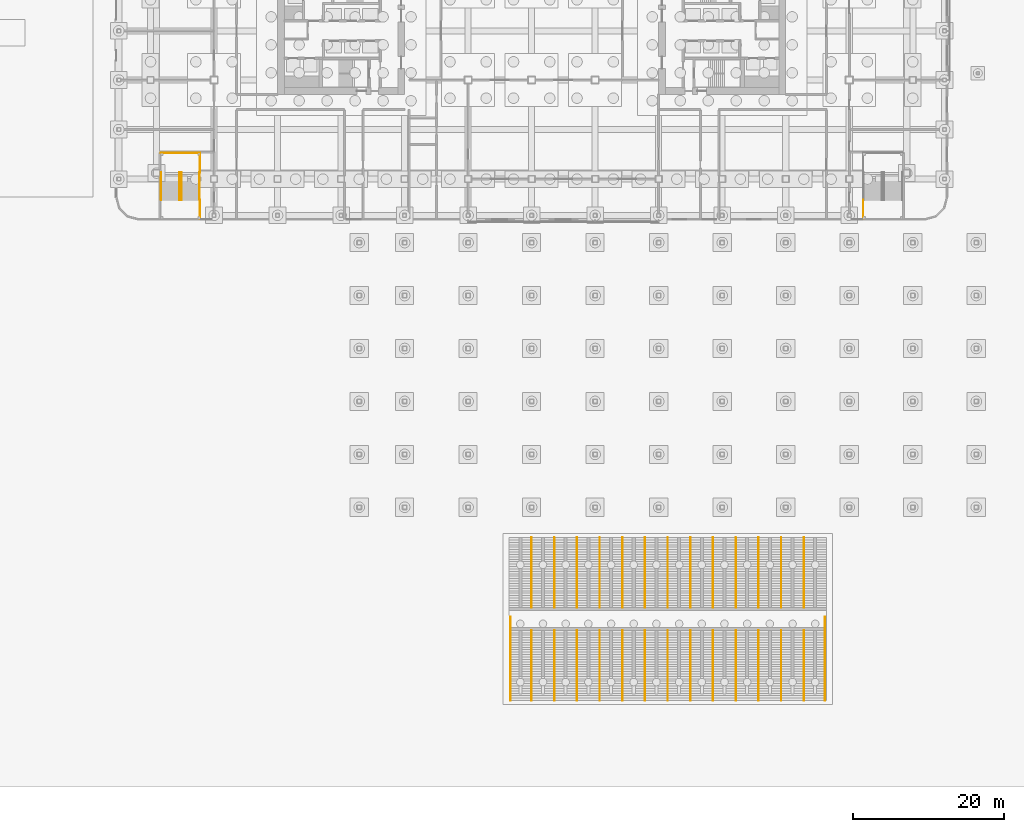
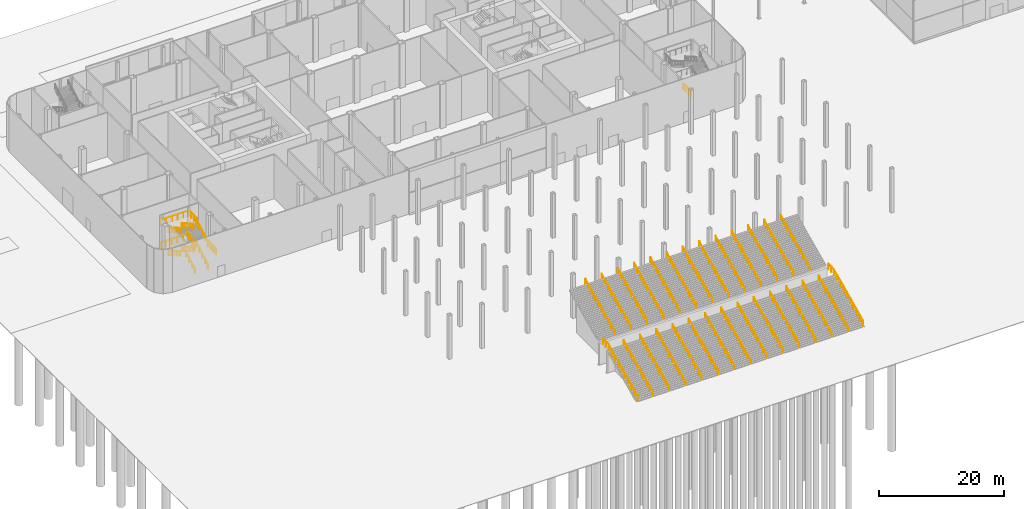
# One storey, part 108 of 113: 44 railings.
"""IFC4 building model written with IfcOpenShell, lengths in metres."""

from ifc_helpers import new_model, si_unit, direction, frame, origin, origin_2d, place, context, subcontext, project, spatial, circle, extrude, material, type_object, element, save


model = new_model("IFC4")

# Units and contexts
model_context = context("Model", 3, precision=1e-05, world=origin(), true_north=direction((0.0, 1.0)))
body_context = subcontext(model_context, "Body", "Model", "MODEL_VIEW")
ifc_project = project(units=[si_unit("LENGTHUNIT", "METRE"), si_unit("AREAUNIT", "SQUARE_METRE"), si_unit("VOLUMEUNIT", "CUBIC_METRE"), si_unit("PLANEANGLEUNIT", "RADIAN"), si_unit("MASSUNIT", "GRAM", prefix="KILO")], contexts=[model_context])

# Site, building, storey
site_placement = place(None, origin())
site = spatial("IfcSite", under=ifc_project, at=site_placement, CompositionType="ELEMENT")
building_placement = place(site_placement, origin())
building = spatial("IfcBuilding", under=site, at=building_placement, Name="Hakoniwa Tower and Hamabe Station Hall", CompositionType="ELEMENT")
storey_placement = place(building_placement, origin())
storey = spatial("IfcBuildingStorey", under=building, at=storey_placement, Name="L01", CompositionType="ELEMENT", Elevation=0.0)

# Railings
ifc_material_1 = material(Name="Stainless steel and glass", Category="steel")
railing_type_1 = type_object("IfcRailingType", Name="GUARD 1100", PredefinedType="GUARDRAIL", material=ifc_material_1)
railing_1_placement = place(storey_placement, frame((-2.800048828125, -77.47998046875, 4.5)))
element("IfcRailing", 1, at=railing_1_placement, inside=storey, type_object=railing_type_1, Name="Deck guard west landing", PredefinedType="GUARDRAIL", context=body_context, shape_type="SweptSolid", body=[
    extrude(circle(Radius=0.02392578125, at=origin_2d()), frame((0.0, 0.0, 1.076171875), z_axis=(0.0, -1.0, 0.0), x_axis=(1.0, 0.0, 0.0)), (0.0, 0.0, 1.0), 1.800048828125),
    extrude(circle(Radius=0.02099609375, at=origin_2d()), origin(), (0.0, 0.0, 1.0), 1.052001953125),
    extrude(circle(Radius=0.02099609375, at=origin_2d()), frame((0.0, -0.89990234375, 0.0)), (0.0, 0.0, 1.0), 1.052001953125),
    extrude(circle(Radius=0.02099609375, at=origin_2d()), frame((0.0, -1.800048828125, 0.0)), (0.0, 0.0, 1.0), 1.052001953125),
])
railing_2_placement = place(storey_placement, frame((-2.800048828125, -79.280029296875, 4.5)))
element("IfcRailing", 2, at=railing_2_placement, inside=storey, type_object=railing_type_1, Name="Deck guard west flight-2", PredefinedType="GUARDRAIL", context=body_context, shape_type="SweptSolid", body=[
    extrude(circle(Radius=0.02392578125, at=origin_2d()), frame((0.0, 0.0, 1.076171875), z_axis=(0.0, -0.905455789059, -0.424440589552), x_axis=(1.0, 0.0, 0.0)), (0.0, 0.0, 1.0), 10.2490234375),
    extrude(circle(Radius=0.02099609375, at=origin_2d()), origin(), (0.0, 0.0, 1.0), 1.052001953125),
    extrude(circle(Radius=0.02099609375, at=origin_2d()), frame((0.0, -1.031005859375, -0.4833984375)), (0.0, 0.0, 1.0), 1.052001953125),
    extrude(circle(Radius=0.02099609375, at=origin_2d()), frame((0.0, -2.062255859375, -0.966796875)), (0.0, 0.0, 1.0), 1.052001953125),
    extrude(circle(Radius=0.02099609375, at=origin_2d()), frame((0.0, -3.09326171875, -1.449951171875)), (0.0, 0.0, 1.0), 1.052001953125),
    extrude(circle(Radius=0.02099609375, at=origin_2d()), frame((0.0, -4.12451171875, -1.933349609375)), (0.0, 0.0, 1.0), 1.052001953125),
    extrude(circle(Radius=0.02099609375, at=origin_2d()), frame((0.0, -5.155517578125, -2.416748046875)), (0.0, 0.0, 1.0), 1.052001953125),
    extrude(circle(Radius=0.02099609375, at=origin_2d()), frame((0.0, -6.186767578125, -2.900146484375)), (0.0, 0.0, 1.0), 1.052001953125),
    extrude(circle(Radius=0.02099609375, at=origin_2d()), frame((0.0, -7.2177734375, -3.38330078125)), (0.0, 0.0, 1.0), 1.052001953125),
    extrude(circle(Radius=0.02099609375, at=origin_2d()), frame((0.0, -8.2490234375, -3.86669921875)), (0.0, 0.0, 1.0), 1.052001953125),
    extrude(circle(Radius=0.02099609375, at=origin_2d()), frame((0.0, -9.280029296875, -4.35009765625)), (0.0, 0.0, 1.0), 1.052001953125),
])
railing_3_placement = place(storey_placement, frame((38.800048828125, -77.47998046875, 4.5)))
element("IfcRailing", 3, at=railing_3_placement, inside=storey, type_object=railing_type_1, Name="Deck guard east landing", PredefinedType="GUARDRAIL", context=body_context, shape_type="SweptSolid", body=[
    extrude(circle(Radius=0.02392578125, at=origin_2d()), frame((0.0, 0.0, 1.076171875), z_axis=(0.0, -1.0, 0.0), x_axis=(1.0, 0.0, 0.0)), (0.0, 0.0, 1.0), 1.800048828125),
    extrude(circle(Radius=0.02099609375, at=origin_2d()), origin(), (0.0, 0.0, 1.0), 1.052001953125),
    extrude(circle(Radius=0.02099609375, at=origin_2d()), frame((0.0, -0.89990234375, 0.0)), (0.0, 0.0, 1.0), 1.052001953125),
    extrude(circle(Radius=0.02099609375, at=origin_2d()), frame((0.0, -1.800048828125, 0.0)), (0.0, 0.0, 1.0), 1.052001953125),
])
railing_4_placement = place(storey_placement, frame((38.800048828125, -79.280029296875, 4.5)))
element("IfcRailing", 4, at=railing_4_placement, inside=storey, type_object=railing_type_1, Name="Deck guard east flight-2", PredefinedType="GUARDRAIL", context=body_context, shape_type="SweptSolid", body=[
    extrude(circle(Radius=0.02392578125, at=origin_2d()), frame((0.0, 0.0, 1.076171875), z_axis=(0.0, -0.905455789059, -0.424440589552), x_axis=(1.0, 0.0, 0.0)), (0.0, 0.0, 1.0), 10.2490234375),
    extrude(circle(Radius=0.02099609375, at=origin_2d()), origin(), (0.0, 0.0, 1.0), 1.052001953125),
    extrude(circle(Radius=0.02099609375, at=origin_2d()), frame((0.0, -1.031005859375, -0.4833984375)), (0.0, 0.0, 1.0), 1.052001953125),
    extrude(circle(Radius=0.02099609375, at=origin_2d()), frame((0.0, -2.062255859375, -0.966796875)), (0.0, 0.0, 1.0), 1.052001953125),
    extrude(circle(Radius=0.02099609375, at=origin_2d()), frame((0.0, -3.09326171875, -1.449951171875)), (0.0, 0.0, 1.0), 1.052001953125),
    extrude(circle(Radius=0.02099609375, at=origin_2d()), frame((0.0, -4.12451171875, -1.933349609375)), (0.0, 0.0, 1.0), 1.052001953125),
    extrude(circle(Radius=0.02099609375, at=origin_2d()), frame((0.0, -5.155517578125, -2.416748046875)), (0.0, 0.0, 1.0), 1.052001953125),
    extrude(circle(Radius=0.02099609375, at=origin_2d()), frame((0.0, -6.186767578125, -2.900146484375)), (0.0, 0.0, 1.0), 1.052001953125),
    extrude(circle(Radius=0.02099609375, at=origin_2d()), frame((0.0, -7.2177734375, -3.38330078125)), (0.0, 0.0, 1.0), 1.052001953125),
    extrude(circle(Radius=0.02099609375, at=origin_2d()), frame((0.0, -8.2490234375, -3.86669921875)), (0.0, 0.0, 1.0), 1.052001953125),
    extrude(circle(Radius=0.02099609375, at=origin_2d()), frame((0.0, -9.280029296875, -4.35009765625)), (0.0, 0.0, 1.0), 1.052001953125),
])
railing_5_placement = place(storey_placement, frame((43.85009765625, -24.85009765625, 4.5)))
element("IfcRailing", 5, at=railing_5_placement, inside=storey, type_object=railing_type_1, Name="Guard at landing PS3 3", PredefinedType="GUARDRAIL", context=body_context, shape_type="SweptSolid", body=[
    extrude(circle(Radius=0.02392578125, at=origin_2d()), frame((0.0, 0.0, 1.076171875), z_axis=(0.0, 1.0, 0.0), x_axis=(-1.0, 0.0, 0.0)), (0.0, 0.0, 1.0), 2.5),
    extrude(circle(Radius=0.02099609375, at=origin_2d()), origin(), (0.0, 0.0, 1.0), 1.052001953125),
    extrude(circle(Radius=0.02099609375, at=origin_2d()), frame((0.0, 0.833251953125, 0.0)), (0.0, 0.0, 1.0), 1.052001953125),
    extrude(circle(Radius=0.02099609375, at=origin_2d()), frame((0.0, 1.666748046875, 0.0)), (0.0, 0.0, 1.0), 1.052001953125),
    extrude(circle(Radius=0.02099609375, at=origin_2d()), frame((0.0, 2.5, 0.0)), (0.0, 0.0, 1.0), 1.052001953125),
])
railing_6_placement = place(storey_placement, frame((-43.85009765625, -18.7099609375, 2.25)))
element("IfcRailing", 6, at=railing_6_placement, inside=storey, type_object=railing_type_1, Name="Guard at landing PS4 1", PredefinedType="GUARDRAIL", context=body_context, shape_type="SweptSolid", body=[
    extrude(circle(Radius=0.02392578125, at=origin_2d()), frame((0.0, 0.0, 1.076171875), z_axis=(0.0, 1.0, 0.0), x_axis=(-1.0, 0.0, 0.0)), (0.0, 0.0, 1.0), 2.56005859375),
    extrude(circle(Radius=0.02099609375, at=origin_2d()), origin(), (0.0, 0.0, 1.0), 1.052001953125),
    extrude(circle(Radius=0.02099609375, at=origin_2d()), frame((0.0, 0.853271484375, 0.0)), (0.0, 0.0, 1.0), 1.052001953125),
    extrude(circle(Radius=0.02099609375, at=origin_2d()), frame((0.0, 1.706787109375, 0.0)), (0.0, 0.0, 1.0), 1.052001953125),
    extrude(circle(Radius=0.02099609375, at=origin_2d()), frame((0.0, 2.56005859375, 0.0)), (0.0, 0.0, 1.0), 1.052001953125),
])
railing_7_placement = place(storey_placement, frame((-43.85009765625, -16.14990234375, 2.25)))
element("IfcRailing", 7, at=railing_7_placement, inside=storey, type_object=railing_type_1, Name="Guard at landing PS4 2", PredefinedType="GUARDRAIL", context=body_context, shape_type="SweptSolid", body=[
    extrude(circle(Radius=0.02392578125, at=origin_2d()), frame((0.0, 0.0, 1.076171875), z_axis=(-1.0, 0.0, 0.0), x_axis=(0.0, -1.0, 0.0)), (0.0, 0.0, 1.0), 5.199951171875),
    extrude(circle(Radius=0.02099609375, at=origin_2d()), origin(), (0.0, 0.0, 1.0), 1.052001953125),
    extrude(circle(Radius=0.02099609375, at=origin_2d()), frame((-1.0400390625, 0.0, 0.0)), (0.0, 0.0, 1.0), 1.052001953125),
    extrude(circle(Radius=0.02099609375, at=origin_2d()), frame((-2.080078125, 0.0, 0.0)), (0.0, 0.0, 1.0), 1.052001953125),
    extrude(circle(Radius=0.02099609375, at=origin_2d()), frame((-3.119873046875, 0.0, 0.0)), (0.0, 0.0, 1.0), 1.052001953125),
    extrude(circle(Radius=0.02099609375, at=origin_2d()), frame((-4.159912109375, 0.0, 0.0)), (0.0, 0.0, 1.0), 1.052001953125),
    extrude(circle(Radius=0.02099609375, at=origin_2d()), frame((-5.199951171875, 0.0, 0.0)), (0.0, 0.0, 1.0), 1.052001953125),
])
railing_8_placement = place(storey_placement, frame((-43.85009765625, -24.85009765625, 4.5)))
element("IfcRailing", 8, at=railing_8_placement, inside=storey, type_object=railing_type_1, Name="Guard at landing PS4 3", PredefinedType="GUARDRAIL", context=body_context, shape_type="SweptSolid", body=[
    extrude(circle(Radius=0.02392578125, at=origin_2d()), frame((0.0, 0.0, 1.076171875), z_axis=(0.0, 1.0, 0.0), x_axis=(-1.0, 0.0, 0.0)), (0.0, 0.0, 1.0), 2.5),
    extrude(circle(Radius=0.02099609375, at=origin_2d()), origin(), (0.0, 0.0, 1.0), 1.052001953125),
    extrude(circle(Radius=0.02099609375, at=origin_2d()), frame((0.0, 0.833251953125, 0.0)), (0.0, 0.0, 1.0), 1.052001953125),
    extrude(circle(Radius=0.02099609375, at=origin_2d()), frame((0.0, 1.666748046875, 0.0)), (0.0, 0.0, 1.0), 1.052001953125),
    extrude(circle(Radius=0.02099609375, at=origin_2d()), frame((0.0, 2.5, 0.0)), (0.0, 0.0, 1.0), 1.052001953125),
])
railing_9_placement = place(storey_placement, frame((-43.85009765625, -18.7099609375, 6.75)))
element("IfcRailing", 9, at=railing_9_placement, inside=storey, type_object=railing_type_1, Name="Guard at landing PS4 4", PredefinedType="GUARDRAIL", context=body_context, shape_type="SweptSolid", body=[
    extrude(circle(Radius=0.02392578125, at=origin_2d()), frame((0.0, 0.0, 1.076171875), z_axis=(0.0, 1.0, 0.0), x_axis=(-1.0, 0.0, 0.0)), (0.0, 0.0, 1.0), 2.56005859375),
    extrude(circle(Radius=0.02099609375, at=origin_2d()), origin(), (0.0, 0.0, 1.0), 1.052001953125),
    extrude(circle(Radius=0.02099609375, at=origin_2d()), frame((0.0, 0.853271484375, 0.0)), (0.0, 0.0, 1.0), 1.052001953125),
    extrude(circle(Radius=0.02099609375, at=origin_2d()), frame((0.0, 1.706787109375, 0.0)), (0.0, 0.0, 1.0), 1.052001953125),
    extrude(circle(Radius=0.02099609375, at=origin_2d()), frame((0.0, 2.56005859375, 0.0)), (0.0, 0.0, 1.0), 1.052001953125),
])
railing_10_placement = place(storey_placement, frame((-43.85009765625, -16.14990234375, 6.75)))
element("IfcRailing", 10, at=railing_10_placement, inside=storey, type_object=railing_type_1, Name="Guard at landing PS4 5", PredefinedType="GUARDRAIL", context=body_context, shape_type="SweptSolid", body=[
    extrude(circle(Radius=0.02392578125, at=origin_2d()), frame((0.0, 0.0, 1.076171875), z_axis=(-1.0, 0.0, 0.0), x_axis=(0.0, -1.0, 0.0)), (0.0, 0.0, 1.0), 5.199951171875),
    extrude(circle(Radius=0.02099609375, at=origin_2d()), origin(), (0.0, 0.0, 1.0), 1.052001953125),
    extrude(circle(Radius=0.02099609375, at=origin_2d()), frame((-1.0400390625, 0.0, 0.0)), (0.0, 0.0, 1.0), 1.052001953125),
    extrude(circle(Radius=0.02099609375, at=origin_2d()), frame((-2.080078125, 0.0, 0.0)), (0.0, 0.0, 1.0), 1.052001953125),
    extrude(circle(Radius=0.02099609375, at=origin_2d()), frame((-3.119873046875, 0.0, 0.0)), (0.0, 0.0, 1.0), 1.052001953125),
    extrude(circle(Radius=0.02099609375, at=origin_2d()), frame((-4.159912109375, 0.0, 0.0)), (0.0, 0.0, 1.0), 1.052001953125),
    extrude(circle(Radius=0.02099609375, at=origin_2d()), frame((-5.199951171875, 0.0, 0.0)), (0.0, 0.0, 1.0), 1.052001953125),
])
ifc_material_2 = material(Name="Stainless steel SUS304", Category="steel")
railing_type_2 = type_object("IfcRailingType", Name="HANDRAIL 900", PredefinedType="HANDRAIL", material=ifc_material_2)
for number, where, name in (
    (11, (0.0, -76.280029296875, 4.64990234375), "Handrail BS1-1"),
    (12, (3.0, -76.280029296875, 4.64990234375), "Handrail BS1-2"),
    (13, (6.0, -76.280029296875, 4.64990234375), "Handrail BS1-3"),
    (14, (9.0, -76.280029296875, 4.64990234375), "Handrail BS1-4"),
    (15, (12.0, -76.280029296875, 4.64990234375), "Handrail BS1-5"),
    (16, (15.0, -76.280029296875, 4.64990234375), "Handrail BS1-6"),
    (17, (18.0, -76.280029296875, 4.64990234375), "Handrail BS1-7"),
    (18, (21.0, -76.280029296875, 4.64990234375), "Handrail BS1-8"),
    (19, (24.0, -76.280029296875, 4.64990234375), "Handrail BS1-9"),
    (20, (27.0, -76.280029296875, 4.64990234375), "Handrail BS1-10"),
    (21, (30.0, -76.280029296875, 4.64990234375), "Handrail BS1-11"),
    (22, (33.0, -76.280029296875, 4.64990234375), "Handrail BS1-12"),
    (23, (36.0, -76.280029296875, 4.64990234375), "Handrail BS1-13"),
    (24, (0.0, -88.56005859375, 0.14990234375), "Handrail BS2-1"),
    (25, (3.0, -88.56005859375, 0.14990234375), "Handrail BS2-2"),
    (26, (6.0, -88.56005859375, 0.14990234375), "Handrail BS2-3"),
    (27, (9.0, -88.56005859375, 0.14990234375), "Handrail BS2-4"),
    (28, (12.0, -88.56005859375, 0.14990234375), "Handrail BS2-5"),
    (29, (15.0, -88.56005859375, 0.14990234375), "Handrail BS2-6"),
    (30, (18.0, -88.56005859375, 0.14990234375), "Handrail BS2-7"),
    (31, (21.0, -88.56005859375, 0.14990234375), "Handrail BS2-8"),
    (32, (24.0, -88.56005859375, 0.14990234375), "Handrail BS2-9"),
    (33, (27.0, -88.56005859375, 0.14990234375), "Handrail BS2-10"),
    (34, (30.0, -88.56005859375, 0.14990234375), "Handrail BS2-11"),
    (35, (33.0, -88.56005859375, 0.14990234375), "Handrail BS2-12"),
    (36, (36.0, -88.56005859375, 0.14990234375), "Handrail BS2-13"),
):
    element("IfcRailing", number, at=place(storey_placement, frame(where)), inside=storey, type_object=railing_type_2, Name=name, PredefinedType="HANDRAIL", context=body_context, shape_type="SweptSolid", body=[
        extrude(circle(Radius=0.02392578125, at=origin_2d()), frame((0.0, 0.0, 0.8759765625), z_axis=(0.0, 0.905455789059, 0.424440589552), x_axis=(-1.0, 0.0, 0.0)), (0.0, 0.0, 1.0), 10.2490234375),
        extrude(circle(Radius=0.02099609375, at=origin_2d()), origin(), (0.0, 0.0, 1.0), 0.851806640625),
        extrude(circle(Radius=0.02099609375, at=origin_2d()), frame((0.0, 1.031005859375, 0.4833984375)), (0.0, 0.0, 1.0), 0.851806640625),
        extrude(circle(Radius=0.02099609375, at=origin_2d()), frame((0.0, 2.062255859375, 0.966796875)), (0.0, 0.0, 1.0), 0.851806640625),
        extrude(circle(Radius=0.02099609375, at=origin_2d()), frame((0.0, 3.09326171875, 1.449951171875)), (0.0, 0.0, 1.0), 0.851806640625),
        extrude(circle(Radius=0.02099609375, at=origin_2d()), frame((0.0, 4.12451171875, 1.933349609375)), (0.0, 0.0, 1.0), 0.851806640625),
        extrude(circle(Radius=0.02099609375, at=origin_2d()), frame((0.0, 5.155517578125, 2.416748046875)), (0.0, 0.0, 1.0), 0.851806640625),
        extrude(circle(Radius=0.02099609375, at=origin_2d()), frame((0.0, 6.186767578125, 2.900146484375)), (0.0, 0.0, 1.0), 0.851806640625),
        extrude(circle(Radius=0.02099609375, at=origin_2d()), frame((0.0, 7.2177734375, 3.38330078125)), (0.0, 0.0, 1.0), 0.851806640625),
        extrude(circle(Radius=0.02099609375, at=origin_2d()), frame((0.0, 8.2490234375, 3.86669921875)), (0.0, 0.0, 1.0), 0.851806640625),
        extrude(circle(Radius=0.02099609375, at=origin_2d()), frame((0.0, 9.280029296875, 4.35009765625)), (0.0, 0.0, 1.0), 0.851806640625),
    ])
for number, where, name in (
    (37, (-43.89990234375, -22.35009765625, 0.14990234375), "Handrail PS4 1"),
    (38, (-46.300048828125, -22.35009765625, 0.14990234375), "Handrail PS4 2"),
):
    element("IfcRailing", number, at=place(storey_placement, frame(where)), inside=storey, type_object=railing_type_2, Name=name, PredefinedType="HANDRAIL", context=body_context, shape_type="SweptSolid", body=[
        extrude(circle(Radius=0.02392578125, at=origin_2d()), frame((0.0, 0.0, 0.8759765625), z_axis=(0.0, 0.86618365172, 0.499725806311), x_axis=(-1.0, 0.0, 0.0)), (0.0, 0.0, 1.0), 4.202392578125),
        extrude(circle(Radius=0.02099609375, at=origin_2d()), origin(), (0.0, 0.0, 1.0), 0.851806640625),
        extrude(circle(Radius=0.02099609375, at=origin_2d()), frame((0.0, 0.91015625, 0.52490234375)), (0.0, 0.0, 1.0), 0.851806640625),
        extrude(circle(Radius=0.02099609375, at=origin_2d()), frame((0.0, 1.820068359375, 1.050048828125)), (0.0, 0.0, 1.0), 0.851806640625),
        extrude(circle(Radius=0.02099609375, at=origin_2d()), frame((0.0, 2.72998046875, 1.5751953125)), (0.0, 0.0, 1.0), 0.851806640625),
        extrude(circle(Radius=0.02099609375, at=origin_2d()), frame((0.0, 3.64013671875, 2.10009765625)), (0.0, 0.0, 1.0), 0.851806640625),
    ])
for number, where, name in (
    (39, (-46.60009765625, -18.7099609375, 2.39990234375), "Handrail PS4 3"),
    (40, (-49.0, -18.7099609375, 2.39990234375), "Handrail PS4 4"),
):
    element("IfcRailing", number, at=place(storey_placement, frame(where)), inside=storey, type_object=railing_type_2, Name=name, PredefinedType="HANDRAIL", context=body_context, shape_type="SweptSolid", body=[
        extrude(circle(Radius=0.02392578125, at=origin_2d()), frame((0.0, 0.0, 0.8759765625), z_axis=(0.0, -0.86618365172, 0.499725806311), x_axis=(1.0, 0.0, 0.0)), (0.0, 0.0, 1.0), 4.202392578125),
        extrude(circle(Radius=0.02099609375, at=origin_2d()), origin(), (0.0, 0.0, 1.0), 0.851806640625),
        extrude(circle(Radius=0.02099609375, at=origin_2d()), frame((0.0, -0.91015625, 0.52490234375)), (0.0, 0.0, 1.0), 0.851806640625),
        extrude(circle(Radius=0.02099609375, at=origin_2d()), frame((0.0, -1.820068359375, 1.050048828125)), (0.0, 0.0, 1.0), 0.851806640625),
        extrude(circle(Radius=0.02099609375, at=origin_2d()), frame((0.0, -2.72998046875, 1.5751953125)), (0.0, 0.0, 1.0), 0.851806640625),
        extrude(circle(Radius=0.02099609375, at=origin_2d()), frame((0.0, -3.64013671875, 2.10009765625)), (0.0, 0.0, 1.0), 0.851806640625),
    ])
for number, where, name in (
    (41, (-43.89990234375, -22.35009765625, 4.64990234375), "Handrail PS4 5"),
    (42, (-46.300048828125, -22.35009765625, 4.64990234375), "Handrail PS4 6"),
):
    element("IfcRailing", number, at=place(storey_placement, frame(where)), inside=storey, type_object=railing_type_2, Name=name, PredefinedType="HANDRAIL", context=body_context, shape_type="SweptSolid", body=[
        extrude(circle(Radius=0.02392578125, at=origin_2d()), frame((0.0, 0.0, 0.8759765625), z_axis=(0.0, 0.86618365172, 0.499725806311), x_axis=(-1.0, 0.0, 0.0)), (0.0, 0.0, 1.0), 4.202392578125),
        extrude(circle(Radius=0.02099609375, at=origin_2d()), origin(), (0.0, 0.0, 1.0), 0.851806640625),
        extrude(circle(Radius=0.02099609375, at=origin_2d()), frame((0.0, 0.91015625, 0.52490234375)), (0.0, 0.0, 1.0), 0.851806640625),
        extrude(circle(Radius=0.02099609375, at=origin_2d()), frame((0.0, 1.820068359375, 1.050048828125)), (0.0, 0.0, 1.0), 0.851806640625),
        extrude(circle(Radius=0.02099609375, at=origin_2d()), frame((0.0, 2.72998046875, 1.5751953125)), (0.0, 0.0, 1.0), 0.851806640625),
        extrude(circle(Radius=0.02099609375, at=origin_2d()), frame((0.0, 3.64013671875, 2.10009765625)), (0.0, 0.0, 1.0), 0.851806640625),
    ])
for number, where, name in (
    (43, (-46.60009765625, -18.7099609375, 6.89990234375), "Handrail PS4 7"),
    (44, (-49.0, -18.7099609375, 6.89990234375), "Handrail PS4 8"),
):
    element("IfcRailing", number, at=place(storey_placement, frame(where)), inside=storey, type_object=railing_type_2, Name=name, PredefinedType="HANDRAIL", context=body_context, shape_type="SweptSolid", body=[
        extrude(circle(Radius=0.02392578125, at=origin_2d()), frame((0.0, 0.0, 0.8759765625), z_axis=(0.0, -0.86618365172, 0.499725806311), x_axis=(1.0, 0.0, 0.0)), (0.0, 0.0, 1.0), 4.202392578125),
        extrude(circle(Radius=0.02099609375, at=origin_2d()), origin(), (0.0, 0.0, 1.0), 0.851806640625),
        extrude(circle(Radius=0.02099609375, at=origin_2d()), frame((0.0, -0.91015625, 0.52490234375)), (0.0, 0.0, 1.0), 0.851806640625),
        extrude(circle(Radius=0.02099609375, at=origin_2d()), frame((0.0, -1.820068359375, 1.050048828125)), (0.0, 0.0, 1.0), 0.851806640625),
        extrude(circle(Radius=0.02099609375, at=origin_2d()), frame((0.0, -2.72998046875, 1.5751953125)), (0.0, 0.0, 1.0), 0.851806640625),
        extrude(circle(Radius=0.02099609375, at=origin_2d()), frame((0.0, -3.64013671875, 2.10009765625)), (0.0, 0.0, 1.0), 0.851806640625),
    ])

save(model, "model.ifc")
